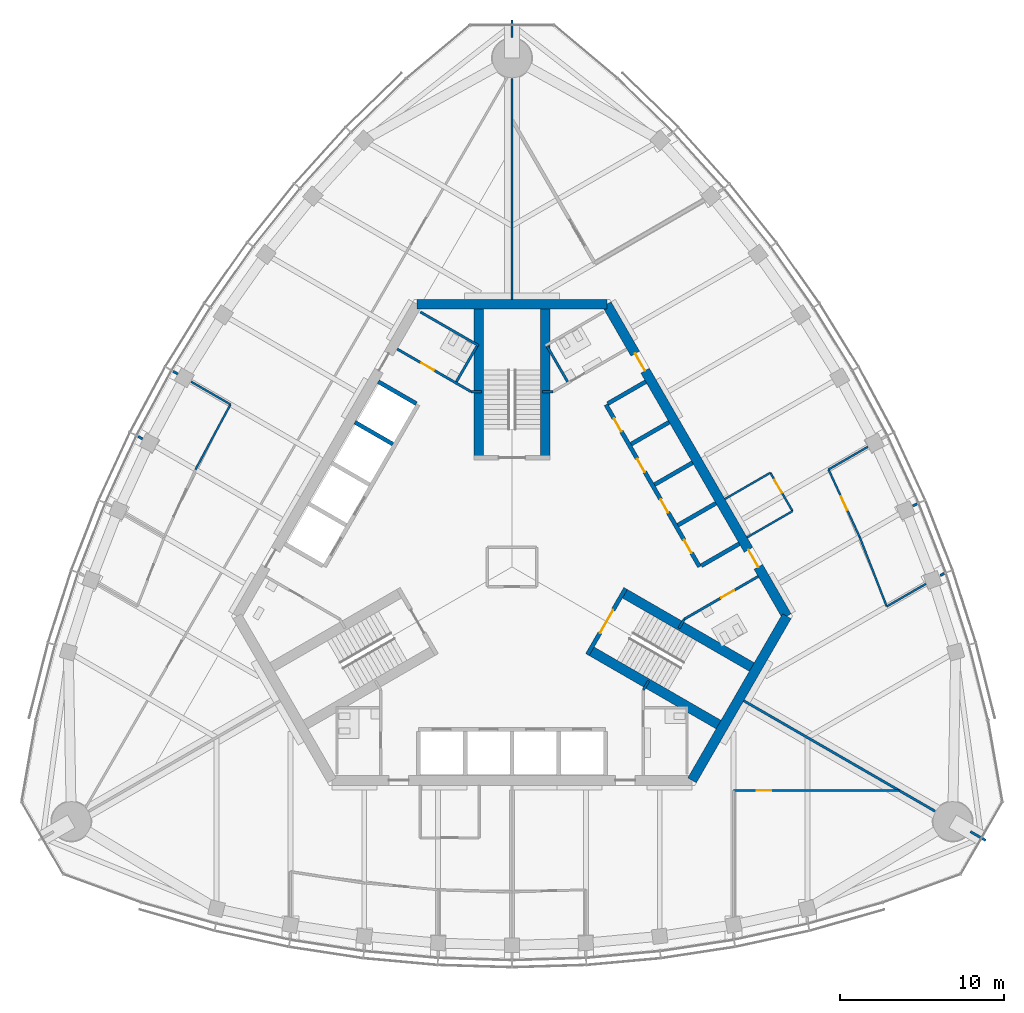
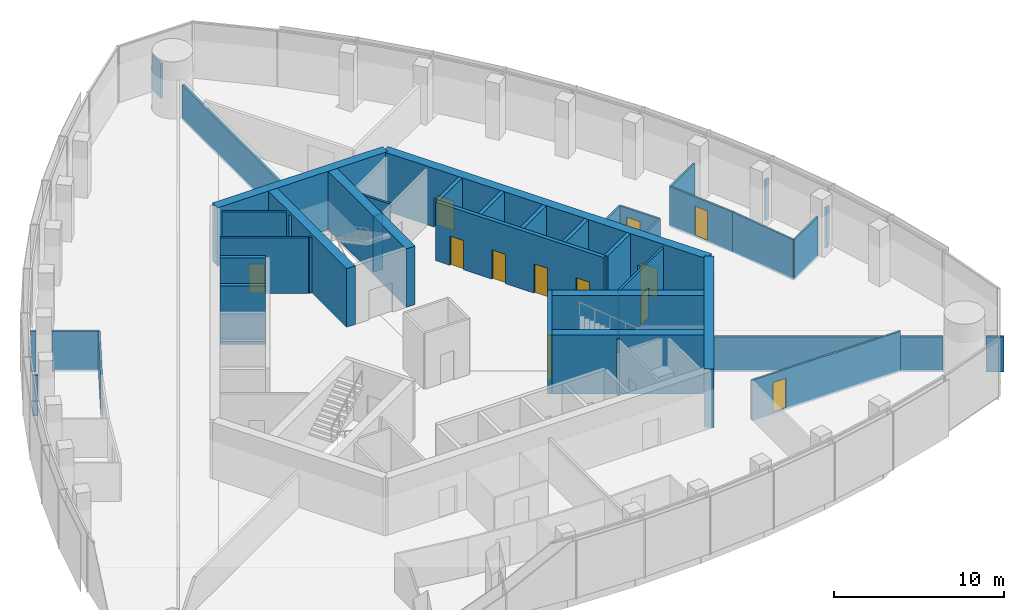
# One storey, part 10 of 16: 43 walls, 12 doors, 12 openings.
"""IFC4 building model written with IfcOpenShell, lengths in metres."""

from ifc_helpers import new_model, si_unit, direction, frame, frame_2d, origin, place, context, subcontext, project, spatial, rectangle, extrude, material, layer, layer_set, type_object, element, fill, save


model = new_model("IFC4")

# Units and contexts
model_context = context("Model", 3, precision=1e-05, world=origin(), true_north=direction((0.0, 1.0)))
body_context = subcontext(model_context, "Body", "Model", "MODEL_VIEW")
ifc_project = project(units=[si_unit("LENGTHUNIT", "METRE"), si_unit("AREAUNIT", "SQUARE_METRE"), si_unit("VOLUMEUNIT", "CUBIC_METRE"), si_unit("PLANEANGLEUNIT", "RADIAN"), si_unit("MASSUNIT", "GRAM", prefix="KILO")], contexts=[model_context])

# Site, building, storey
site_placement = place(None, origin())
site = spatial("IfcSite", under=ifc_project, at=site_placement, CompositionType="ELEMENT")
building_placement = place(site_placement, origin())
building = spatial("IfcBuilding", under=site, at=building_placement, Name="Trefoil Bronze Tower", CompositionType="ELEMENT")
storey_placement = place(building_placement, frame((0.0, 0.0, 309.89990234375)))
storey = spatial("IfcBuildingStorey", under=building, at=storey_placement, Name="L71", CompositionType="ELEMENT", Elevation=309.89990234375)

# Wall
ifc_material_1 = material(Name="Concrete B80", Category="concrete")
ifc_layer_1 = layer(ifc_material_1, 0.60009765625)
ifc_layer_set_1 = layer_set([ifc_layer_1], Name="Core wall 600")
wall_type_1 = type_object("IfcWallType", Name="Core wall 600", PredefinedType="SHEAR", material=ifc_layer_set_1)
wall_1_placement = place(storey_placement, frame((10.9697265625, -13.0, 0.0), z_axis=(0.0, 0.0, 1.0), x_axis=(0.499995765644, 0.866027848477, 0.0)))
element("IfcWall", 1, at=wall_1_placement, inside=storey, type_object=wall_type_1, Name="Core short wall 1 L71", PredefinedType="SHEAR", context=body_context, shape_type="SweptSolid", body=[
    extrude(rectangle(XDim=11.546875, YDim=0.60009765625, at=frame_2d((5.7734375, 0.0))), origin(), (0.0, 0.0, 1.0), 4.2001953125),
])

# Wall, openings, doors
wall_2_placement = place(storey_placement, frame((16.7431640625, -3.0, 0.0), z_axis=(0.0, 0.0, 1.0), x_axis=(-0.500002442456, 0.866023993627, 0.0)))
wall_2 = element("IfcWall", 2, at=wall_2_placement, inside=storey, type_object=wall_type_1, Name="Core long wall 2 L71", PredefinedType="SHEAR", context=body_context, shape_type="SweptSolid", body=[
    extrude(rectangle(XDim=21.939453125, YDim=0.60009765625, at=frame_2d((10.9697265625, 0.0))), origin(), (0.0, 0.0, 1.0), 4.2001953125),
])
opening_1_placement = place(wall_2_placement, frame((17.269775390625, 0.0, 0.0)))
opening_1 = element("IfcOpeningElement", 3, at=opening_1_placement, cuts=wall_2, Name="Opening D2", PredefinedType="OPENING", context=body_context, shape_type="SweptSolid", body=[
    extrude(rectangle(XDim=1.199951171875, YDim=2.10009765625, at=frame_2d((0.60009765625, 1.050048828125))), frame((0.0, 0.31005859375, 0.0), z_axis=(0.0, -1.0, 0.0), x_axis=(1.0, 0.0, 0.0)), (0.0, 0.0, 1.0), 0.6201171875),
])
opening_2_placement = place(wall_2_placement, frame((3.4697265625, 0.0, 0.0)))
opening_2 = element("IfcOpeningElement", 4, at=opening_2_placement, cuts=wall_2, Name="Opening D2", PredefinedType="OPENING", context=body_context, shape_type="SweptSolid", body=[
    extrude(rectangle(XDim=1.199951171875, YDim=2.10009765625, at=frame_2d((0.60009765625, 1.050048828125))), frame((0.0, 0.31005859375, 0.0), z_axis=(0.0, -1.0, 0.0), x_axis=(1.0, 0.0, 0.0)), (0.0, 0.0, 1.0), 0.6201171875),
])
ifc_material_2 = material(Name="Steel door", Category="steel")
door_type_1 = type_object("IfcDoorType", Name="Lobby door 1200", OperationType="SINGLE_SWING_RIGHT", PredefinedType="DOOR", material=ifc_material_2)
door_1_placement = place(opening_1_placement, origin())
door_1 = element("IfcDoor", 5, at=door_1_placement, inside=storey, type_object=door_type_1, Name="Lobby door F2+ L71", OperationType="SINGLE_SWING_RIGHT", OverallHeight=2.10009765625, OverallWidth=1.199951171875, PredefinedType="DOOR", context=body_context, shape_type="SweptSolid", body=[
    extrude(rectangle(XDim=1.199951171875, YDim=2.10009765625, at=frame_2d((0.60009765625, 1.050048828125))), frame((0.0, 0.02490234375, 0.0), z_axis=(0.0, -1.0, 0.0), x_axis=(1.0, 0.0, 0.0)), (0.0, 0.0, 1.0), 0.050048828125),
])
fill(opening_1, door_1)
door_2_placement = place(opening_2_placement, origin())
door_2 = element("IfcDoor", 6, at=door_2_placement, inside=storey, type_object=door_type_1, Name="Lobby door F2- L71", OperationType="SINGLE_SWING_LEFT", OverallHeight=2.10009765625, OverallWidth=1.199951171875, PredefinedType="DOOR", context=body_context, shape_type="SweptSolid", body=[
    extrude(rectangle(XDim=1.199951171875, YDim=2.10009765625, at=frame_2d((0.60009765625, 1.050048828125))), frame((0.0, 0.02490234375, 0.0), z_axis=(0.0, -1.0, 0.0), x_axis=(1.0, 0.0, 0.0)), (0.0, 0.0, 1.0), 0.050048828125),
])
fill(opening_2, door_2)

# Wall
wall_3_placement = place(storey_placement, frame((5.7734375, 16.0, 0.0), z_axis=(0.0, 0.0, 1.0), x_axis=(-1.0, 0.0, 0.0)))
element("IfcWall", 7, at=wall_3_placement, inside=storey, type_object=wall_type_1, Name="Core short wall 2 L71", PredefinedType="SHEAR", context=body_context, shape_type="SweptSolid", body=[
    extrude(rectangle(XDim=11.546875, YDim=0.60009765625, at=frame_2d((5.7734375, 0.0))), origin(), (0.0, 0.0, 1.0), 4.2001953125),
])

# Wall, opening, door
ifc_material_3 = material(Name="Glazed partition", Category="glass")
ifc_layer_2 = layer(ifc_material_3, 0.1201171875)
ifc_layer_set_2 = layer_set([ifc_layer_2], Name="Glazed partition 120")
wall_type_2 = type_object("IfcWallType", Name="Glazed partition 120", PredefinedType="PARTITIONING", material=ifc_layer_set_2)
wall_4_placement = place(storey_placement, frame((13.5, -13.6201171875, 0.0), z_axis=(0.0, 0.0, 1.0), x_axis=(1.0, 0.0, 0.0)))
wall_4 = element("IfcWall", 8, at=wall_4_placement, inside=storey, type_object=wall_type_2, Name="Partition F1 L71", PredefinedType="PARTITIONING", context=body_context, shape_type="SweptSolid", body=[
    extrude(rectangle(XDim=10.070068359375, YDim=0.1201171875, at=frame_2d((5.03515625, 0.0))), origin(), (0.0, 0.0, 1.0), 2.900146484375),
])
opening_3_placement = place(wall_4_placement, frame((1.39990234375, 0.0, 0.14990234375)))
opening_3 = element("IfcOpeningElement", 9, at=opening_3_placement, cuts=wall_4, Name="Opening D8", PredefinedType="OPENING", context=body_context, shape_type="SweptSolid", body=[
    extrude(rectangle(XDim=0.89990234375, YDim=2.10009765625, at=frame_2d((0.449951171875, 1.050048828125))), frame((0.0, 0.070068359375, 0.0), z_axis=(0.0, -1.0, 0.0), x_axis=(1.0, 0.0, 0.0)), (0.0, 0.0, 1.0), 0.14013671875),
])
ifc_material_4 = material(Name="Timber door", Category="wood")
door_type_2 = type_object("IfcDoorType", Name="Office door 900", OperationType="SINGLE_SWING_LEFT", PredefinedType="DOOR", material=ifc_material_4)
door_3_placement = place(opening_3_placement, frame((0.89990234375, 0.0, 0.0), z_axis=(0.0, 0.0, 1.0), x_axis=(-1.0, 0.0, 0.0)))
door_3 = element("IfcDoor", 10, at=door_3_placement, inside=storey, type_object=door_type_2, Name="Chairman's office door F1 L71", OperationType="SINGLE_SWING_RIGHT", OverallHeight=2.10009765625, OverallWidth=0.89990234375, PredefinedType="DOOR", context=body_context, shape_type="SweptSolid", body=[
    extrude(rectangle(XDim=0.89990234375, YDim=2.10009765625, at=frame_2d((0.449951171875, 1.050048828125))), frame((0.0, 0.02490234375, 0.0), z_axis=(0.0, -1.0, 0.0), x_axis=(1.0, 0.0, 0.0)), (0.0, 0.0, 1.0), 0.050048828125),
])
fill(opening_3, door_3)

wall_5_placement = place(storey_placement, frame((17.08935546875, 3.400146484375, 0.0), z_axis=(0.0, 0.0, 1.0), x_axis=(-0.4999416173, 0.866059108428, 0.0)))
wall_5 = element("IfcWall", 11, at=wall_5_placement, inside=storey, type_object=wall_type_2, Name="Partition F2 L71", PredefinedType="PARTITIONING", context=body_context, shape_type="SweptSolid", body=[
    extrude(rectangle(XDim=2.699951171875, YDim=0.1201171875, at=frame_2d((1.35009765625, 0.0))), origin(), (0.0, 0.0, 1.0), 2.900146484375),
])
opening_4_placement = place(wall_5_placement, frame((1.300048828125, 0.0, 0.14990234375)))
opening_4 = element("IfcOpeningElement", 12, at=opening_4_placement, cuts=wall_5, Name="Opening D8", PredefinedType="OPENING", context=body_context, shape_type="SweptSolid", body=[
    extrude(rectangle(XDim=0.89990234375, YDim=2.10009765625, at=frame_2d((0.449951171875, 1.050048828125))), frame((0.0, 0.070068359375, 0.0), z_axis=(0.0, -1.0, 0.0), x_axis=(1.0, 0.0, 0.0)), (0.0, 0.0, 1.0), 0.14013671875),
])
door_4_placement = place(opening_4_placement, origin())
door_4 = element("IfcDoor", 13, at=door_4_placement, inside=storey, type_object=door_type_2, Name="Pantry door F2 L71", OperationType="SINGLE_SWING_RIGHT", OverallHeight=2.10009765625, OverallWidth=0.89990234375, PredefinedType="DOOR", context=body_context, shape_type="SweptSolid", body=[
    extrude(rectangle(XDim=0.89990234375, YDim=2.10009765625, at=frame_2d((0.449951171875, 1.050048828125))), frame((0.0, 0.02490234375, 0.0), z_axis=(0.0, -1.0, 0.0), x_axis=(1.0, 0.0, 0.0)), (0.0, 0.0, 1.0), 0.050048828125),
])
fill(opening_4, door_4)

# Walls
wall_6_placement = place(storey_placement, frame((12.968017578125, 4.138427734375, 0.0), z_axis=(0.0, 0.0, 1.0), x_axis=(0.866028054938, 0.499995408039, 0.0)))
element("IfcWall", 14, at=wall_6_placement, inside=storey, type_object=wall_type_2, Name="Partition F2 L71", PredefinedType="PARTITIONING", context=body_context, shape_type="SweptSolid", body=[
    extrude(rectangle(XDim=3.2001953125, YDim=0.1201171875, at=frame_2d((1.60009765625, 0.0))), origin(), (0.0, 0.0, 1.0), 2.900146484375),
])
wall_7_placement = place(storey_placement, frame((14.318115234375, 1.80029296875, 0.0), z_axis=(0.0, 0.0, 1.0), x_axis=(0.866042017984, 0.499971222258, 0.0)))
element("IfcWall", 15, at=wall_7_placement, inside=storey, type_object=wall_type_2, Name="Partition F2 L71", PredefinedType="PARTITIONING", context=body_context, shape_type="SweptSolid", body=[
    extrude(rectangle(XDim=3.199951171875, YDim=0.1201171875, at=frame_2d((1.60009765625, 0.0))), origin(), (0.0, 0.0, 1.0), 2.900146484375),
])
wall_8_placement = place(storey_placement, frame((22.828857421875, -2.408203125, 0.0), z_axis=(0.0, 0.0, 1.0), x_axis=(-0.363230297573, 0.931699388711, 0.0)))
element("IfcWall", 16, at=wall_8_placement, inside=storey, type_object=wall_type_2, Name="Partition F2 L71", PredefinedType="PARTITIONING", context=body_context, shape_type="SweptSolid", body=[
    extrude(rectangle(XDim=4.552490234375, YDim=0.1201171875, at=frame_2d((2.2763671875, 0.0))), origin(), (0.0, 0.0, 1.0), 2.900146484375),
])

# Wall, opening, door
wall_9_placement = place(storey_placement, frame((21.17529296875, 1.833251953125, 0.0), z_axis=(0.0, 0.0, 1.0), x_axis=(-0.419270595022, 0.907861315483, 0.0)))
wall_9 = element("IfcWall", 17, at=wall_9_placement, inside=storey, type_object=wall_type_2, Name="Partition F2 L71", PredefinedType="PARTITIONING", context=body_context, shape_type="SweptSolid", body=[
    extrude(rectangle(XDim=4.5185546875, YDim=0.1201171875, at=frame_2d((2.25927734375, 0.0))), origin(), (0.0, 0.0, 1.0), 2.900146484375),
])
opening_5_placement = place(wall_9_placement, frame((1.800048828125, 0.0, 0.14990234375)))
opening_5 = element("IfcOpeningElement", 18, at=opening_5_placement, cuts=wall_9, Name="Opening D8", PredefinedType="OPENING", context=body_context, shape_type="SweptSolid", body=[
    extrude(rectangle(XDim=0.89990234375, YDim=2.10009765625, at=frame_2d((0.449951171875, 1.050048828125))), frame((0.0, 0.070068359375, 0.0), z_axis=(0.0, -1.0, 0.0), x_axis=(1.0, 0.0, 0.0)), (0.0, 0.0, 1.0), 0.14013671875),
])
door_5_placement = place(opening_5_placement, frame((0.89990234375, 0.0, 0.0), z_axis=(0.0, 0.0, 1.0), x_axis=(-1.0, 0.0, 0.0)))
door_5 = element("IfcDoor", 19, at=door_5_placement, inside=storey, type_object=door_type_2, Name="Executive office door F2 L71", OperationType="SINGLE_SWING_RIGHT", OverallHeight=2.10009765625, OverallWidth=0.89990234375, PredefinedType="DOOR", context=body_context, shape_type="SweptSolid", body=[
    extrude(rectangle(XDim=0.89990234375, YDim=2.10009765625, at=frame_2d((0.449951171875, 1.050048828125))), frame((0.0, 0.02490234375, 0.0), z_axis=(0.0, -1.0, 0.0), x_axis=(1.0, 0.0, 0.0)), (0.0, 0.0, 1.0), 0.050048828125),
])
fill(opening_5, door_5)

# Walls
wall_10_placement = place(storey_placement, frame((22.828857421875, -2.408203125, 0.0), z_axis=(0.0, 0.0, 1.0), x_axis=(0.866031754707, 0.499988999718, 0.0)))
element("IfcWall", 20, at=wall_10_placement, inside=storey, type_object=wall_type_2, Name="Partition F2 L71", PredefinedType="PARTITIONING", context=body_context, shape_type="SweptSolid", body=[
    extrude(rectangle(XDim=2.74853515625, YDim=0.1201171875, at=frame_2d((1.374267578125, 0.0))), origin(), (0.0, 0.0, 1.0), 2.900146484375),
])
wall_11_placement = place(storey_placement, frame((19.28076171875, 5.935546875, 0.0), z_axis=(0.0, 0.0, 1.0), x_axis=(0.866019581949, 0.500010083578, 0.0)))
element("IfcWall", 21, at=wall_11_placement, inside=storey, type_object=wall_type_2, Name="Partition F2 L71", PredefinedType="PARTITIONING", context=body_context, shape_type="SweptSolid", body=[
    extrude(rectangle(XDim=2.767578125, YDim=0.1201171875, at=frame_2d((1.3837890625, 0.0))), origin(), (0.0, 0.0, 1.0), 2.900146484375),
])
wall_12_placement = place(storey_placement, frame((-17.148681640625, 9.90087890625, 0.0), z_axis=(0.0, 0.0, 1.0), x_axis=(-0.473566170147, -0.880758242932, 0.0)))
element("IfcWall", 22, at=wall_12_placement, inside=storey, type_object=wall_type_2, Name="Partition F3 L71", PredefinedType="PARTITIONING", context=body_context, shape_type="SweptSolid", body=[
    extrude(rectangle(XDim=4.502197265625, YDim=0.1201171875, at=frame_2d((2.2509765625, 0.0))), origin(), (0.0, 0.0, 1.0), 2.900146484375),
])
wall_13_placement = place(storey_placement, frame((-17.148681640625, 9.90087890625, 0.0), z_axis=(0.0, 0.0, 1.0), x_axis=(-0.866027073272, 0.499997108352, 0.0)))
element("IfcWall", 23, at=wall_13_placement, inside=storey, type_object=wall_type_2, Name="Partition F3 L71", PredefinedType="PARTITIONING", context=body_context, shape_type="SweptSolid", body=[
    extrude(rectangle(XDim=2.77001953125, YDim=0.1201171875, at=frame_2d((1.385009765625, 0.0))), origin(), (0.0, 0.0, 1.0), 2.900146484375),
])

# Wall, opening, door
ifc_material_5 = material(Name="Gypsum board on steel studs", Category="steel")
ifc_layer_3 = layer(ifc_material_5, 0.14990234375)
ifc_layer_set_3 = layer_set([ifc_layer_3], Name="Partition 150")
wall_type_3 = type_object("IfcWallType", Name="Partition 150", PredefinedType="PARTITIONING", material=ifc_layer_set_3)
wall_14_placement = place(storey_placement, frame((10.4951171875, -3.17822265625, 0.0), z_axis=(0.0, 0.0, 1.0), x_axis=(0.866021400173, 0.500006934395, 0.0)))
wall_14 = element("IfcWall", 24, at=wall_14_placement, inside=storey, type_object=wall_type_3, Name="Passage wall F2- L71", PredefinedType="PARTITIONING", context=body_context, shape_type="SweptSolid", body=[
    extrude(rectangle(XDim=5.2001953125, YDim=0.14990234375, at=frame_2d((2.60009765625, 0.0))), origin(), (0.0, 0.0, 1.0), 4.0),
])
opening_6_placement = place(wall_14_placement, frame((2.60009765625, 0.0, 0.0)))
opening_6 = element("IfcOpeningElement", 25, at=opening_6_placement, cuts=wall_14, Name="Opening D3", PredefinedType="OPENING", context=body_context, shape_type="SweptSolid", body=[
    extrude(rectangle(XDim=0.89990234375, YDim=2.10009765625, at=frame_2d((0.449951171875, 1.050048828125))), frame((0.0, 0.0849609375, 0.0), z_axis=(0.0, -1.0, 0.0), x_axis=(1.0, 0.0, 0.0)), (0.0, 0.0, 1.0), 0.169921875),
])
ifc_material_6 = material(Name="Timber door", Category="wood")
door_type_3 = type_object("IfcDoorType", Name="WC door 900", OperationType="SINGLE_SWING_LEFT", PredefinedType="DOOR", material=ifc_material_6)
door_6_placement = place(opening_6_placement, frame((0.89990234375, 0.0, 0.0), z_axis=(0.0, 0.0, 1.0), x_axis=(-1.0, 0.0, 0.0)))
door_6 = element("IfcDoor", 26, at=door_6_placement, inside=storey, type_object=door_type_3, Name="WC (women) door L71", OperationType="SINGLE_SWING_LEFT", OverallHeight=2.10009765625, OverallWidth=0.89990234375, PredefinedType="DOOR", context=body_context, shape_type="SweptSolid", body=[
    extrude(rectangle(XDim=0.89990234375, YDim=2.10009765625, at=frame_2d((0.449951171875, 1.050048828125))), frame((0.0, 0.02490234375, 0.0), z_axis=(0.0, -1.0, 0.0), x_axis=(1.0, 0.0, 0.0)), (0.0, 0.0, 1.0), 0.050048828125),
])
fill(opening_6, door_6)

wall_15_placement = place(storey_placement, frame((-2.4951171875, 10.67822265625, 0.0), z_axis=(0.0, 0.0, 1.0), x_axis=(-0.866021400173, 0.500006934395, 0.0)))
wall_15 = element("IfcWall", 27, at=wall_15_placement, inside=storey, type_object=wall_type_3, Name="Passage wall F3- L71", PredefinedType="PARTITIONING", context=body_context, shape_type="SweptSolid", body=[
    extrude(rectangle(XDim=5.2001953125, YDim=0.14990234375, at=frame_2d((2.60009765625, 0.0))), origin(), (0.0, 0.0, 1.0), 4.0),
])
opening_7_placement = place(wall_15_placement, frame((2.60009765625, 0.0, 0.0)))
opening_7 = element("IfcOpeningElement", 28, at=opening_7_placement, cuts=wall_15, Name="Opening D3", PredefinedType="OPENING", context=body_context, shape_type="SweptSolid", body=[
    extrude(rectangle(XDim=0.89990234375, YDim=2.10009765625, at=frame_2d((0.449951171875, 1.050048828125))), frame((0.0, 0.0849609375, 0.0), z_axis=(0.0, -1.0, 0.0), x_axis=(1.0, 0.0, 0.0)), (0.0, 0.0, 1.0), 0.169921875),
])
door_7_placement = place(opening_7_placement, frame((0.89990234375, 0.0, 0.0), z_axis=(0.0, 0.0, 1.0), x_axis=(-1.0, 0.0, 0.0)))
door_7 = element("IfcDoor", 29, at=door_7_placement, inside=storey, type_object=door_type_3, Name="WC (women) door L71", OperationType="SINGLE_SWING_RIGHT", OverallHeight=2.10009765625, OverallWidth=0.89990234375, PredefinedType="DOOR", context=body_context, shape_type="SweptSolid", body=[
    extrude(rectangle(XDim=0.89990234375, YDim=2.10009765625, at=frame_2d((0.449951171875, 1.050048828125))), frame((0.0, 0.02490234375, 0.0), z_axis=(0.0, -1.0, 0.0), x_axis=(1.0, 0.0, 0.0)), (0.0, 0.0, 1.0), 0.050048828125),
])
fill(opening_7, door_7)

# Walls
for number, where, z_axis, x_axis, name in (
    (30, (8.0, -7.5, 0.0), (0.0, 0.0, 1.0), (0.499842556608, 0.866116284689, 0.0), "WC wall ST1-1 L71"),
    (31, (10.4951171875, -3.17822265625, 0.0), (0.0, 0.0, 1.0), (-0.499842556608, -0.866116284689, 0.0), "WC wall ST1+1 L71"),
):
    element("IfcWall", number, at=place(storey_placement, frame(where, z_axis=z_axis, x_axis=x_axis)), inside=storey, type_object=wall_type_3, Name=name, PredefinedType="PARTITIONING", context=body_context, shape_type="SweptSolid", body=[
        extrude(rectangle(XDim=0.645263671875, YDim=0.14990234375, at=frame_2d((0.32275390625, 0.0))), origin(), (0.0, 0.0, 1.0), 4.0),
    ])
for number, where, z_axis, x_axis, name in (
    (32, (2.4951171875, 10.67822265625, 0.0), (0.0, 0.0, 1.0), (-1.0, 0.0, 0.0), "WC wall ST2-1 L71"),
    (33, (-2.4951171875, 10.67822265625, 0.0), (0.0, 0.0, 1.0), (1.0, 0.0, 0.0), "WC wall ST2+1 L71"),
):
    element("IfcWall", number, at=place(storey_placement, frame(where, z_axis=z_axis, x_axis=x_axis)), inside=storey, type_object=wall_type_3, Name=name, PredefinedType="PARTITIONING", context=body_context, shape_type="SweptSolid", body=[
        extrude(rectangle(XDim=0.64501953125, YDim=0.14990234375, at=frame_2d((0.322509765625, 0.0))), origin(), (0.0, 0.0, 1.0), 4.0),
    ])
wall_16_placement = place(storey_placement, frame((3.388671875, 11.28076171875, 0.0), z_axis=(0.0, 0.0, 1.0), x_axis=(-0.499989096993, 0.866031698547, 0.0)))
element("IfcWall", 34, at=wall_16_placement, inside=storey, type_object=wall_type_3, Name="WC partition WC (men) L71", PredefinedType="PARTITIONING", context=body_context, shape_type="SweptSolid", body=[
    extrude(rectangle(XDim=2.509765625, YDim=0.14990234375, at=frame_2d((1.2548828125, 0.0))), origin(), (0.0, 0.0, 1.0), 4.0),
])
wall_17_placement = place(storey_placement, frame((-2.03125, 13.48193359375, 0.0), z_axis=(0.0, 0.0, 1.0), x_axis=(-0.866050731258, 0.499956128963, 0.0)))
element("IfcWall", 35, at=wall_17_placement, inside=storey, type_object=wall_type_3, Name="WC partition WC (women) L71", PredefinedType="PARTITIONING", context=body_context, shape_type="SweptSolid", body=[
    extrude(rectangle(XDim=4.099853515625, YDim=0.14990234375, at=frame_2d((2.0498046875, 0.0))), origin(), (0.0, 0.0, 1.0), 4.0),
])
wall_18_placement = place(storey_placement, frame((-3.388671875, 11.28076171875, 0.0), z_axis=(0.0, 0.0, 1.0), x_axis=(0.499989096993, 0.866031698547, 0.0)))
element("IfcWall", 36, at=wall_18_placement, inside=storey, type_object=wall_type_3, Name="WC partition WC (women) L71", PredefinedType="PARTITIONING", context=body_context, shape_type="SweptSolid", body=[
    extrude(rectangle(XDim=2.509765625, YDim=0.14990234375, at=frame_2d((1.2548828125, 0.0))), origin(), (0.0, 0.0, 1.0), 4.0),
])
wall_19_placement = place(storey_placement, frame((26.08935546875, -0.52587890625, 0.0), z_axis=(0.0, 0.0, 1.0), x_axis=(0.865982457891, 0.500074377092, 0.0)))
element("IfcWall", 37, at=wall_19_placement, inside=storey, type_object=wall_type_3, Name="Partition F2 L71", PredefinedType="PARTITIONING", context=body_context, shape_type="SweptSolid", body=[
    extrude(rectangle(XDim=0.2802734375, YDim=0.14990234375, at=frame_2d((0.14013671875, 0.0))), origin(), (0.0, 0.0, 1.0), 2.900146484375),
])
wall_20_placement = place(storey_placement, frame((24.42236328125, 3.7080078125, 0.0), z_axis=(0.0, 0.0, 1.0), x_axis=(0.866254317358, 0.499603300288, 0.0)))
element("IfcWall", 38, at=wall_20_placement, inside=storey, type_object=wall_type_3, Name="Partition F2 L71", PredefinedType="PARTITIONING", context=body_context, shape_type="SweptSolid", body=[
    extrude(rectangle(XDim=0.295654296875, YDim=0.14990234375, at=frame_2d((0.14794921875, 0.0))), origin(), (0.0, 0.0, 1.0), 2.900146484375),
])
wall_21_placement = place(storey_placement, frame((-20.3564453125, 11.752685546875, 0.0), z_axis=(0.0, 0.0, 1.0), x_axis=(-0.865899514186, 0.500217983815, 0.0)))
element("IfcWall", 39, at=wall_21_placement, inside=storey, type_object=wall_type_3, Name="Partition F3 L71", PredefinedType="PARTITIONING", context=body_context, shape_type="SweptSolid", body=[
    extrude(rectangle(XDim=0.341064453125, YDim=0.14990234375, at=frame_2d((0.17041015625, 0.0))), origin(), (0.0, 0.0, 1.0), 2.900146484375),
])
wall_22_placement = place(storey_placement, frame((-22.510009765625, 7.800048828125, 0.0), z_axis=(0.0, 0.0, 1.0), x_axis=(-0.866095534226, 0.499878510834, 0.0)))
element("IfcWall", 40, at=wall_22_placement, inside=storey, type_object=wall_type_3, Name="Partition F3 L71", PredefinedType="PARTITIONING", context=body_context, shape_type="SweptSolid", body=[
    extrude(rectangle(XDim=0.31591796875, YDim=0.14990234375, at=frame_2d((0.157958984375, 0.0))), origin(), (0.0, 0.0, 1.0), 2.900146484375),
])
ifc_material_7 = material(Name="Gypsum board on steel studs", Category="steel")
ifc_layer_4 = layer(ifc_material_7, 0.14990234375)
ifc_layer_set_4 = layer_set([ifc_layer_4], Name="Party wall 150")
wall_type_4 = type_object("IfcWallType", Name="Party wall 150", PredefinedType="PARTITIONING", material=ifc_layer_set_4)
wall_23_placement = place(storey_placement, frame((14.1162109375, -8.14990234375, 0.0), z_axis=(0.0, 0.0, 1.0), x_axis=(0.866020541135, -0.500008422262, 0.0)))
element("IfcWall", 41, at=wall_23_placement, inside=storey, type_object=wall_type_4, Name="Party wall K1 L71", PredefinedType="PARTITIONING", context=body_context, shape_type="SweptSolid", body=[
    extrude(rectangle(XDim=13.449951171875, YDim=0.14990234375, at=frame_2d((6.72509765625, 0.0))), origin(), (0.0, 0.0, 1.0), 2.5),
])
wall_24_placement = place(storey_placement, frame((27.92919921875, -16.125, 0.0), z_axis=(0.0, 0.0, 1.0), x_axis=(0.866086810508, -0.499893625349, 0.0)))
element("IfcWall", 42, at=wall_24_placement, inside=storey, type_object=wall_type_4, Name="Party wall K1 L71", PredefinedType="PARTITIONING", context=body_context, shape_type="SweptSolid", body=[
    extrude(rectangle(XDim=1.070068359375, YDim=0.14990234375, at=frame_2d((0.53515625, 0.0))), origin(), (0.0, 0.0, 1.0), 2.5),
])
wall_25_placement = place(storey_placement, frame((0.0, 16.300048828125, 0.0), z_axis=(0.0, 0.0, 1.0), x_axis=(0.0, 1.0, 0.0)))
element("IfcWall", 43, at=wall_25_placement, inside=storey, type_object=wall_type_4, Name="Party wall K2 L71", PredefinedType="PARTITIONING", context=body_context, shape_type="SweptSolid", body=[
    extrude(rectangle(XDim=13.449951171875, YDim=0.14990234375, at=frame_2d((6.72509765625, 0.0))), origin(), (0.0, 0.0, 1.0), 2.5),
])
wall_26_placement = place(storey_placement, frame((0.0, 32.25, 0.0), z_axis=(0.0, 0.0, 1.0), x_axis=(0.0, 1.0, 0.0)))
element("IfcWall", 44, at=wall_26_placement, inside=storey, type_object=wall_type_4, Name="Party wall K2 L71", PredefinedType="PARTITIONING", context=body_context, shape_type="SweptSolid", body=[
    extrude(rectangle(XDim=1.06982421875, YDim=0.14990234375, at=frame_2d((0.534912109375, 0.0))), origin(), (0.0, 0.0, 1.0), 2.5),
])

# Wall, openings, doors
ifc_material_8 = material(Name="Concrete B80", Category="concrete")
ifc_layer_5 = layer(ifc_material_8, 0.25)
ifc_layer_set_5 = layer_set([ifc_layer_5], Name="Shaft wall 250")
wall_type_5 = type_object("IfcWallType", Name="Shaft wall 250", PredefinedType="SHEAR", material=ifc_layer_set_5)
wall_27_placement = place(storey_placement, frame((11.423583984375, 0.013671875, 0.0), z_axis=(0.0, 0.0, 1.0), x_axis=(-0.500001763848, 0.866024385424, 0.0)))
wall_27 = element("IfcWall", 45, at=wall_27_placement, inside=storey, type_object=wall_type_5, Name="Lift shaft front wall B L71", PredefinedType="SHEAR", context=body_context, shape_type="SweptSolid", body=[
    extrude(rectangle(XDim=11.39990234375, YDim=0.25, at=frame_2d((5.699951171875, 0.0))), origin(), (0.0, 0.0, 1.0), 4.2001953125),
])
opening_8_placement = place(wall_27_placement, frame((0.97509765625, 0.0, 0.0)))
opening_8 = element("IfcOpeningElement", 46, at=opening_8_placement, cuts=wall_27, Name="Opening D12", PredefinedType="OPENING", context=body_context, shape_type="SweptSolid", body=[
    extrude(rectangle(XDim=0.89990234375, YDim=2.10009765625, at=frame_2d((0.449951171875, 1.050048828125))), frame((0.0, 0.135009765625, 0.0), z_axis=(0.0, -1.0, 0.0), x_axis=(1.0, 0.0, 0.0)), (0.0, 0.0, 1.0), 0.27001953125),
])
opening_9_placement = place(wall_27_placement, frame((3.824951171875, 0.0, 0.0)))
opening_9 = element("IfcOpeningElement", 47, at=opening_9_placement, cuts=wall_27, Name="Opening D12", PredefinedType="OPENING", context=body_context, shape_type="SweptSolid", body=[
    extrude(rectangle(XDim=0.89990234375, YDim=2.10009765625, at=frame_2d((0.449951171875, 1.050048828125))), frame((0.0, 0.135009765625, 0.0), z_axis=(0.0, -1.0, 0.0), x_axis=(1.0, 0.0, 0.0)), (0.0, 0.0, 1.0), 0.27001953125),
])
opening_10_placement = place(wall_27_placement, frame((6.675048828125, 0.0, 0.0)))
opening_10 = element("IfcOpeningElement", 48, at=opening_10_placement, cuts=wall_27, Name="Opening D12", PredefinedType="OPENING", context=body_context, shape_type="SweptSolid", body=[
    extrude(rectangle(XDim=0.89990234375, YDim=2.10009765625, at=frame_2d((0.449951171875, 1.050048828125))), frame((0.0, 0.135009765625, 0.0), z_axis=(0.0, -1.0, 0.0), x_axis=(1.0, 0.0, 0.0)), (0.0, 0.0, 1.0), 0.27001953125),
])
opening_11_placement = place(wall_27_placement, frame((9.52490234375, 0.0, 0.0)))
opening_11 = element("IfcOpeningElement", 49, at=opening_11_placement, cuts=wall_27, Name="Opening D12", PredefinedType="OPENING", context=body_context, shape_type="SweptSolid", body=[
    extrude(rectangle(XDim=0.89990234375, YDim=2.10009765625, at=frame_2d((0.449951171875, 1.050048828125))), frame((0.0, 0.135009765625, 0.0), z_axis=(0.0, -1.0, 0.0), x_axis=(1.0, 0.0, 0.0)), (0.0, 0.0, 1.0), 0.27001953125),
])
ifc_material_9 = material(Name="Steel door", Category="steel")
door_type_4 = type_object("IfcDoorType", Name="Shaft room door 900", OperationType="SINGLE_SWING_LEFT", PredefinedType="DOOR", material=ifc_material_9)
door_8_placement = place(opening_8_placement, frame((0.89990234375, 0.0, 0.0), z_axis=(0.0, 0.0, 1.0), x_axis=(-1.0, 0.0, 0.0)))
door_8 = element("IfcDoor", 50, at=door_8_placement, inside=storey, type_object=door_type_4, Name="Shaft room door B1 L71", OperationType="SINGLE_SWING_LEFT", OverallHeight=2.10009765625, OverallWidth=0.89990234375, PredefinedType="DOOR", context=body_context, shape_type="SweptSolid", body=[
    extrude(rectangle(XDim=0.89990234375, YDim=2.10009765625, at=frame_2d((0.449951171875, 1.050048828125))), frame((0.0, 0.02490234375, 0.0), z_axis=(0.0, -1.0, 0.0), x_axis=(1.0, 0.0, 0.0)), (0.0, 0.0, 1.0), 0.050048828125),
])
fill(opening_8, door_8)
door_9_placement = place(opening_9_placement, frame((0.89990234375, 0.0, 0.0), z_axis=(0.0, 0.0, 1.0), x_axis=(-1.0, 0.0, 0.0)))
door_9 = element("IfcDoor", 51, at=door_9_placement, inside=storey, type_object=door_type_4, Name="Shaft room door B2 L71", OperationType="SINGLE_SWING_RIGHT", OverallHeight=2.10009765625, OverallWidth=0.89990234375, PredefinedType="DOOR", context=body_context, shape_type="SweptSolid", body=[
    extrude(rectangle(XDim=0.89990234375, YDim=2.10009765625, at=frame_2d((0.449951171875, 1.050048828125))), frame((0.0, 0.02490234375, 0.0), z_axis=(0.0, -1.0, 0.0), x_axis=(1.0, 0.0, 0.0)), (0.0, 0.0, 1.0), 0.050048828125),
])
fill(opening_9, door_9)
door_10_placement = place(opening_10_placement, frame((0.89990234375, 0.0, 0.0), z_axis=(0.0, 0.0, 1.0), x_axis=(-1.0, 0.0, 0.0)))
door_10 = element("IfcDoor", 52, at=door_10_placement, inside=storey, type_object=door_type_4, Name="Shaft room door B3 L71", OperationType="SINGLE_SWING_RIGHT", OverallHeight=2.10009765625, OverallWidth=0.89990234375, PredefinedType="DOOR", context=body_context, shape_type="SweptSolid", body=[
    extrude(rectangle(XDim=0.89990234375, YDim=2.10009765625, at=frame_2d((0.449951171875, 1.050048828125))), frame((0.0, 0.02490234375, 0.0), z_axis=(0.0, -1.0, 0.0), x_axis=(1.0, 0.0, 0.0)), (0.0, 0.0, 1.0), 0.050048828125),
])
fill(opening_10, door_10)
door_11_placement = place(opening_11_placement, frame((0.89990234375, 0.0, 0.0), z_axis=(0.0, 0.0, 1.0), x_axis=(-1.0, 0.0, 0.0)))
door_11 = element("IfcDoor", 53, at=door_11_placement, inside=storey, type_object=door_type_4, Name="Shaft room door B4 L71", OperationType="SINGLE_SWING_RIGHT", OverallHeight=2.10009765625, OverallWidth=0.89990234375, PredefinedType="DOOR", context=body_context, shape_type="SweptSolid", body=[
    extrude(rectangle(XDim=0.89990234375, YDim=2.10009765625, at=frame_2d((0.449951171875, 1.050048828125))), frame((0.0, 0.02490234375, 0.0), z_axis=(0.0, -1.0, 0.0), x_axis=(1.0, 0.0, 0.0)), (0.0, 0.0, 1.0), 0.050048828125),
])
fill(opening_11, door_11)

# Walls
for number, where, z_axis, x_axis, name in (
    (54, (11.531982421875, 0.076171875, 0.0), (0.0, 0.0, 1.0), (0.86604424267, 0.499967368674, 0.0), "Lift shaft side wall B0 L71"),
    (55, (10.10693359375, 2.54443359375, 0.0), (0.0, 0.0, 1.0), (0.86604424267, 0.499967368674, 0.0), "Lift shaft side wall B1 L71"),
    (56, (8.681884765625, 5.012451171875, 0.0), (0.0, 0.0, 1.0), (0.866004723184, 0.50003581814, 0.0), "Lift shaft side wall B2 L71"),
    (57, (7.2568359375, 7.480712890625, 0.0), (0.0, 0.0, 1.0), (0.86604424267, 0.499967368674, 0.0), "Lift shaft side wall B3 L71"),
    (58, (5.831787109375, 9.94873046875, 0.0), (0.0, 0.0, 1.0), (0.866004723184, 0.50003581814, 0.0), "Lift shaft side wall B4 L71"),
    (59, (-5.831787109375, 9.94873046875, 0.0), (0.0, 0.0, 1.0), (-0.866004723184, 0.50003581814, 0.0), "Lift shaft side wall C0 L71"),
    (60, (-7.2568359375, 7.480712890625, 0.0), (0.0, 0.0, 1.0), (-0.86604424267, 0.499967368674, 0.0), "Lift shaft side wall C1 L71"),
):
    element("IfcWall", number, at=place(storey_placement, frame(where, z_axis=z_axis, x_axis=x_axis)), inside=storey, type_object=wall_type_5, Name=name, PredefinedType="SHEAR", context=body_context, shape_type="SweptSolid", body=[
        extrude(rectangle(XDim=2.675048828125, YDim=0.25, at=frame_2d((1.33740234375, 0.0))), origin(), (0.0, 0.0, 1.0), 4.2001953125),
    ])

# Wall, opening, door
wall_28_placement = place(storey_placement, frame((4.5966796875, -5.338623046875, 0.0), z_axis=(0.0, 0.0, 1.0), x_axis=(0.499984536904, 0.866034331223, 0.0)))
wall_28 = element("IfcWall", 61, at=wall_28_placement, inside=storey, type_object=wall_type_5, Name="Stair end wall ST1 L71", PredefinedType="SHEAR", context=body_context, shape_type="SweptSolid", body=[
    extrude(rectangle(XDim=4.650146484375, YDim=0.25, at=frame_2d((2.3251953125, 0.0))), origin(), (0.0, 0.0, 1.0), 4.2001953125),
])
opening_12_placement = place(wall_28_placement, frame((1.52490234375, 0.0, 0.0)))
opening_12 = element("IfcOpeningElement", 62, at=opening_12_placement, cuts=wall_28, Name="Opening D1", PredefinedType="OPENING", context=body_context, shape_type="SweptSolid", body=[
    extrude(rectangle(XDim=1.60009765625, YDim=2.10009765625, at=frame_2d((0.800048828125, 1.050048828125))), frame((0.0, 0.135009765625, 0.0), z_axis=(0.0, -1.0, 0.0), x_axis=(1.0, 0.0, 0.0)), (0.0, 0.0, 1.0), 0.27001953125),
])
ifc_material_10 = material(Name="Steel door", Category="steel")
door_type_5 = type_object("IfcDoorType", Name="Stair door 1600", OperationType="DOUBLE_DOOR_SINGLE_SWING", PredefinedType="DOOR", material=ifc_material_10)
door_12_placement = place(opening_12_placement, frame((1.60009765625, 0.0, 0.0), z_axis=(0.0, 0.0, 1.0), x_axis=(-1.0, 0.0, 0.0)))
door_12 = element("IfcDoor", 63, at=door_12_placement, inside=storey, type_object=door_type_5, Name="Stair door ST1 L71", OperationType="DOUBLE_DOOR_SINGLE_SWING", OverallHeight=2.10009765625, OverallWidth=1.60009765625, PredefinedType="DOOR", context=body_context, shape_type="SweptSolid", body=[
    extrude(rectangle(XDim=1.60009765625, YDim=2.10009765625, at=frame_2d((0.800048828125, 1.050048828125))), frame((0.0, 0.02490234375, 0.0), z_axis=(0.0, -1.0, 0.0), x_axis=(1.0, 0.0, 0.0)), (0.0, 0.0, 1.0), 0.050048828125),
])
fill(opening_12, door_12)

# Walls
ifc_material_11 = material(Name="Concrete B80", Category="concrete")
ifc_layer_6 = layer(ifc_material_11, 0.60009765625)
ifc_layer_set_6 = layer_set([ifc_layer_6], Name="Stair wall 600")
wall_type_6 = type_object("IfcWallType", Name="Stair wall 600", PredefinedType="SHEAR", material=ifc_layer_set_6)
wall_29_placement = place(storey_placement, frame((4.638427734375, -5.01611328125, 0.0), z_axis=(0.0, 0.0, 1.0), x_axis=(0.866012320003, -0.50002266109, 0.0)))
element("IfcWall", 64, at=wall_29_placement, inside=storey, type_object=wall_type_6, Name="Stair wall ST1 L71", PredefinedType="SHEAR", context=body_context, shape_type="SweptSolid", body=[
    extrude(rectangle(XDim=9.1748046875, YDim=0.60009765625, at=frame_2d((4.58740234375, 0.0))), origin(), (0.0, 0.0, 1.0), 4.2001953125),
])
for number, where, z_axis, x_axis, name in (
    (65, (6.663330078125, -1.5087890625, 0.0), (0.0, 0.0, 1.0), (0.86603049496, -0.499991181721, 0.0), "Stair wall ST1 L71"),
    (66, (2.02490234375, 6.52490234375, 0.0), (0.0, 0.0, 1.0), (0.0, 1.0, 0.0), "Stair wall ST2 L71"),
    (67, (-2.02490234375, 6.52490234375, 0.0), (0.0, 0.0, 1.0), (0.0, 1.0, 0.0), "Stair wall ST2 L71"),
):
    element("IfcWall", number, at=place(storey_placement, frame(where, z_axis=z_axis, x_axis=x_axis)), inside=storey, type_object=wall_type_6, Name=name, PredefinedType="SHEAR", context=body_context, shape_type="SweptSolid", body=[
        extrude(rectangle(XDim=9.175048828125, YDim=0.60009765625, at=frame_2d((4.58740234375, 0.0))), origin(), (0.0, 0.0, 1.0), 4.2001953125),
    ])

save(model, "model.ifc")
